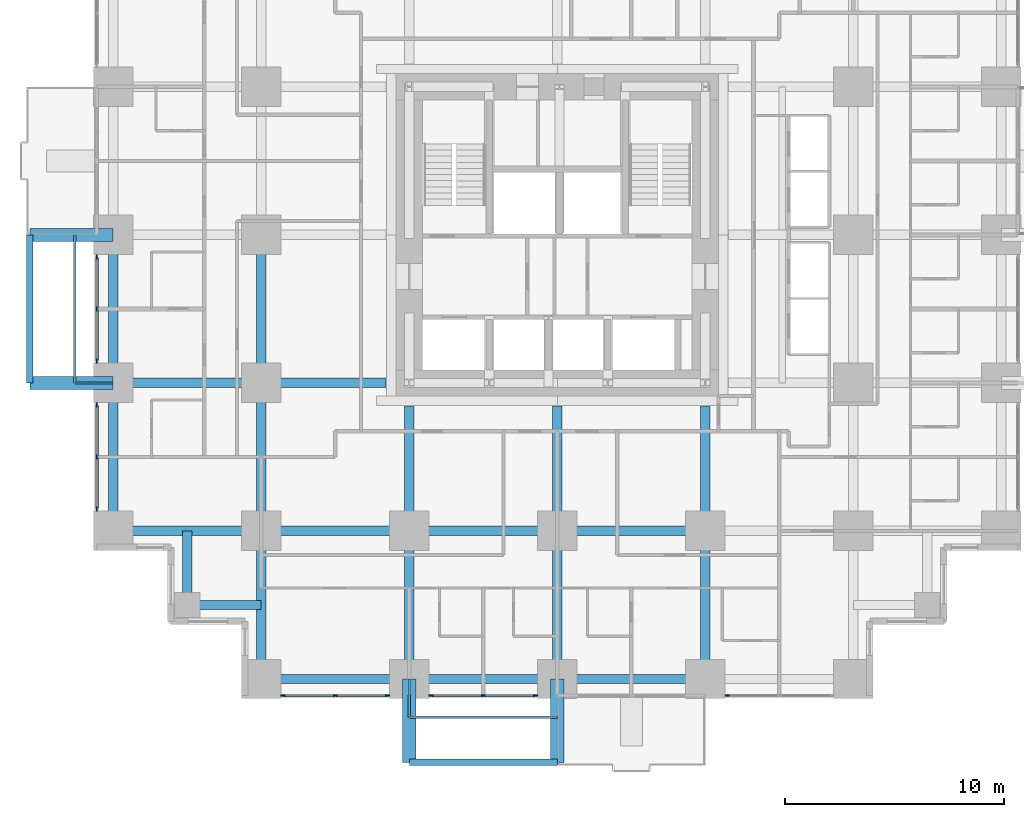
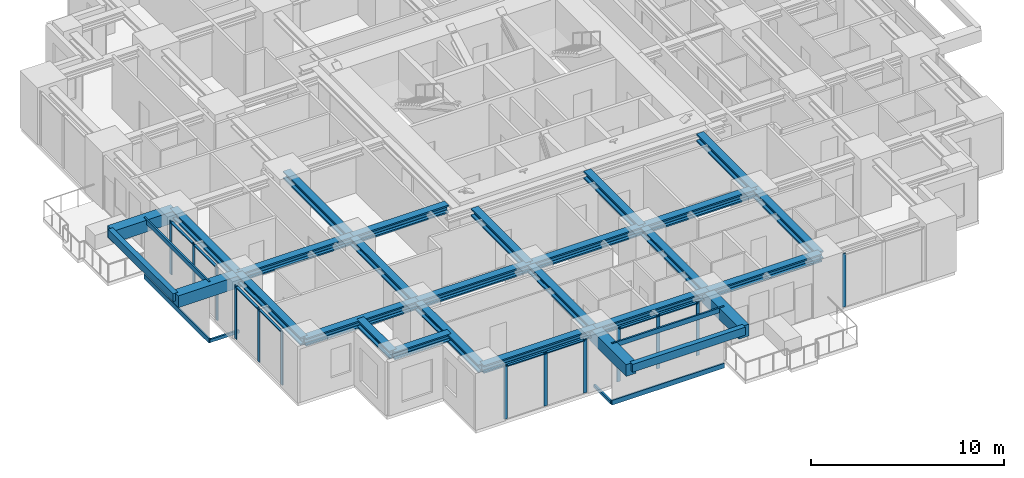
# One storey, part 2 of 14: 28 beams, 27 members, 5 elements without a shape of their own.
"""IFC4 building model written with IfcOpenShell, lengths in metres."""

import ifcopenshell
import ifcopenshell.guid

model = None  # the IFC model being written
_history = None  # IfcOwnerHistory: only IFC2X3 demands one
_inside = {}  # id of a spatial element -> (the spatial element, [elements in it])
_under = {}  # id of a project, library or spatial element -> (it, [spatial elements below it])
_declared = {}  # id of a project -> (the project, [libraries it declares])
_typed = {}  # id of a type object -> (the type object, [elements of that type])
_made_of = {}  # id of a material, layer set ... -> (it, [elements and type objects made of it])


def new_model(schema):
    """Start an empty IFC model of exactly this schema.

    Asked for "IFC4X3", IfcOpenShell would pick the latest addendum, in which some entities
    have other attributes; the version numbers below select the first issue.
    IFC2X3 requires an IfcOwnerHistory on every rooted entity: one is made here for all.
    """
    global model, _history
    if schema == "IFC4X3":
        model = ifcopenshell.file(schema_version=(4, 3, 0, 0))
    else:
        model = ifcopenshell.file(schema=schema)
    _inside.clear()
    _under.clear()
    _declared.clear()
    _typed.clear()
    _made_of.clear()
    _history = None
    if model.schema == "IFC2X3":
        org = make("IfcOrganization", Name="unknown")
        user = make(
            "IfcPersonAndOrganization",
            ThePerson=make("IfcPerson", FamilyName="unknown"),
            TheOrganization=org,
        )
        app = make(
            "IfcApplication",
            ApplicationDeveloper=org,
            Version="unknown",
            ApplicationFullName="unknown",
            ApplicationIdentifier="unknown",
        )
        _history = make(
            "IfcOwnerHistory",
            OwningUser=user,
            OwningApplication=app,
            ChangeAction="ADDED",
            CreationDate=0,
        )
    return model


def make(cls, **values):
    """One entity of the class cls with the attributes given. An attribute that is None is left unset."""
    return model.create_entity(
        cls, **{name: value for name, value in values.items() if value is not None}
    )


def rooted(cls, **values):
    """An entity with a GlobalId (a new one), such as an element, a storey or a relation."""
    return make(cls, GlobalId=ifcopenshell.guid.new(), OwnerHistory=_history, **values)


def si_unit(unit_type, name, prefix=None):
    """IfcSIUnit, for example si_unit("LENGTHUNIT", "METRE", prefix="MILLI")."""
    return make("IfcSIUnit", UnitType=unit_type, Prefix=prefix, Name=name)


def assignment(units):
    """IfcUnitAssignment: the units of a project."""
    return None if units is None else make("IfcUnitAssignment", Units=units)


def point(xyz):
    """IfcCartesianPoint."""
    return None if xyz is None else make("IfcCartesianPoint", Coordinates=xyz)


def direction(xyz):
    """IfcDirection."""
    return None if xyz is None else make("IfcDirection", DirectionRatios=xyz)


def frame(location, z_axis=None, x_axis=None):
    """IfcAxis2Placement3D, a coordinate frame: its origin and axes. An axis left out is left unset."""
    return make(
        "IfcAxis2Placement3D",
        Location=point(location),
        Axis=direction(z_axis),
        RefDirection=direction(x_axis),
    )


def frame_2d(location, x_axis=None):
    """IfcAxis2Placement2D, a coordinate frame in the plane: its origin and x axis."""
    return make(
        "IfcAxis2Placement2D", Location=point(location), RefDirection=direction(x_axis)
    )


def origin():
    """The frame at (0, 0, 0) with its axes left unset."""
    return frame((0.0, 0.0, 0.0))


def origin_2d():
    """The frame at (0, 0) in the plane with its x axis left unset."""
    return frame_2d((0.0, 0.0))


def place(relative_to, where):
    """IfcLocalPlacement: puts the frame where relative to a parent placement (None: the world)."""
    return make(
        "IfcLocalPlacement", PlacementRelTo=relative_to, RelativePlacement=where
    )


def context(
    kind, dimensions, precision=None, world=None, true_north=None, identifier=None
):
    """IfcGeometricRepresentationContext, for example the 3D "Model" context."""
    return make(
        "IfcGeometricRepresentationContext",
        ContextIdentifier=identifier,
        ContextType=kind,
        CoordinateSpaceDimension=dimensions,
        Precision=precision,
        WorldCoordinateSystem=world,
        TrueNorth=true_north,
    )


def subcontext(parent, identifier, kind, view, scale=None):
    """IfcGeometricRepresentationSubContext, for example "Body" below "Model"."""
    return make(
        "IfcGeometricRepresentationSubContext",
        ContextIdentifier=identifier,
        ContextType=kind,
        ParentContext=parent,
        TargetScale=scale,
        TargetView=view,
    )


def project(units=None, contexts=None):
    """IfcProject with its units and contexts."""
    return rooted(
        "IfcProject",
        Name="project",
        RepresentationContexts=contexts,
        UnitsInContext=assignment(units),
    )


def spatial(cls, under=None, at=None, **own):
    """A site, building, storey or space (cls), placed at a placement, below another one or the project."""
    s = rooted(cls, ObjectPlacement=at, **own)
    if under is not None:
        _under.setdefault(under.id(), (under, []))[1].append(s)
    return s


def profile(cls, at=None, kind="AREA", **sizes):
    """A parametric profile (cls). Its sizes go by their IFC names, for example OverallWidth=200.0."""
    return make(cls, ProfileType=kind, Position=at, **sizes)


def rectangle(**sizes):
    """IfcRectangleProfileDef."""
    return profile("IfcRectangleProfileDef", **sizes)


def hollow_rectangle(**sizes):
    """IfcRectangleHollowProfileDef."""
    return profile("IfcRectangleHollowProfileDef", **sizes)


def i_section(**sizes):
    """IfcIShapeProfileDef."""
    return profile("IfcIShapeProfileDef", **sizes)


def extrude(swept, where, along, depth):
    """IfcExtrudedAreaSolid: the profile swept, set in the frame where, extruded along a direction by depth."""
    return make(
        "IfcExtrudedAreaSolid",
        SweptArea=swept,
        Position=where,
        ExtrudedDirection=direction(along),
        Depth=depth,
    )


def shape(context_of_items, identifier, shape_type, items):
    """IfcShapeRepresentation: the items that make up one representation, for example the "Body"."""
    return make(
        "IfcShapeRepresentation",
        ContextOfItems=context_of_items,
        RepresentationIdentifier=identifier,
        RepresentationType=shape_type,
        Items=items,
    )


def material(Name=None, Category=None):
    """IfcMaterial."""
    return make("IfcMaterial", Name=Name, Category=Category)


def material_profile(
    of_material, cross_section, Name=None, Category=None, Priority=None
):
    """IfcMaterialProfile: a cross section and its material."""
    return make(
        "IfcMaterialProfile",
        Name=Name,
        Material=of_material,
        Profile=cross_section,
        Priority=Priority,
        Category=Category,
    )


def profile_set(profiles, Name=None, composite=None):
    """IfcMaterialProfileSet."""
    return make(
        "IfcMaterialProfileSet",
        Name=Name,
        MaterialProfiles=profiles,
        CompositeProfile=composite,
    )


def made_of(thing, what):
    """Note that an element or type object is made of a material, layer set ...; save() writes the relation."""
    if what is not None:
        _made_of.setdefault(what.id(), (what, []))[1].append(thing)
    return thing


def type_object(cls, material=None, **own):
    """A type object (cls), such as IfcWallType, which elements share."""
    return made_of(rooted(cls, **own), material)


def element(
    cls,
    number,
    at=None,
    inside=None,
    cuts=None,
    type_object=None,
    material=None,
    context=None,
    identifier="Body",
    shape_type=None,
    held_by="IfcProductDefinitionShape",
    body=None,
    shapes=None,
    **own,
):
    """One element of the class cls, such as IfcWall. Its Tag is "e" and its number.

    at: its placement. inside: the storey or other place that contains it. cuts: it is an
    opening in that element (IfcRelVoidsElement). A single representation is given by context,
    identifier, shape_type and body (its items); several are given by shapes. held_by: the class
    of the entity that holds the representations. save() writes the other relations.
    """
    e = rooted(cls, Tag="e%d" % number, ObjectPlacement=at, **own)
    if body is not None:
        shapes = [shape(context, identifier, shape_type, body)]
    if shapes is not None:
        e.Representation = make(held_by, Representations=shapes)
    if inside is not None:
        _inside.setdefault(inside.id(), (inside, []))[1].append(e)
    if cuts is not None:
        rooted(
            "IfcRelVoidsElement", RelatingBuildingElement=cuts, RelatedOpeningElement=e
        )
    if type_object is not None:
        _typed.setdefault(type_object.id(), (type_object, []))[1].append(e)
    return made_of(e, material)


def aggregate(whole, parts):
    """IfcRelAggregates: a whole, such as a stair, and the parts it consists of."""
    return rooted("IfcRelAggregates", RelatingObject=whole, RelatedObjects=parts)


def save(model, path):
    """Write the relations noted so far, then the file.

    IfcRelAggregates (storeys below a building ...), IfcRelContainedInSpatialStructure (elements
    in a storey), IfcRelDefinesByType, IfcRelAssociatesMaterial and IfcRelDeclares: one each for
    every whole, place, type object, material and project.
    """
    for whole, parts in _under.values():
        aggregate(whole, parts)
    for where, things in _inside.values():
        rooted(
            "IfcRelContainedInSpatialStructure",
            RelatedElements=things,
            RelatingStructure=where,
        )
    for kind, things in _typed.values():
        rooted("IfcRelDefinesByType", RelatedObjects=things, RelatingType=kind)
    for what, things in _made_of.values():
        rooted("IfcRelAssociatesMaterial", RelatedObjects=things, RelatingMaterial=what)
    for by, libraries in _declared.values():
        rooted("IfcRelDeclares", RelatingContext=by, RelatedDefinitions=libraries)
    model.write(path)


model = new_model("IFC4")

# Units and contexts
model_context = context("Model", 3, precision=1e-05, world=origin(), true_north=direction((0.0, 1.0)))
body_context = subcontext(model_context, "Body", "Model", "MODEL_VIEW")
ifc_project = project(units=[si_unit("LENGTHUNIT", "METRE"), si_unit("AREAUNIT", "SQUARE_METRE"), si_unit("VOLUMEUNIT", "CUBIC_METRE"), si_unit("PLANEANGLEUNIT", "RADIAN"), si_unit("MASSUNIT", "GRAM", prefix="KILO")], contexts=[model_context])

# Site, building, storey
site_placement = place(None, origin())
site = spatial("IfcSite", under=ifc_project, at=site_placement, CompositionType="ELEMENT")
building_placement = place(site_placement, origin())
building = spatial("IfcBuilding", under=site, at=building_placement, Name="Nyansa Garden Tower", CompositionType="ELEMENT")
storey_placement = place(building_placement, frame((0.0, 0.0, 57.60009765625)))
storey = spatial("IfcBuildingStorey", under=building, at=storey_placement, Name="L15", CompositionType="ELEMENT", Elevation=57.60009765625)

# Beams
ifc_material_1 = material(Name="Concrete C70/85", Category="concrete")
ifc_material_profile_1 = material_profile(ifc_material_1, rectangle(XDim=0.60009765625, YDim=0.75, at=origin_2d()), Name="RC 600x750")
ifc_profile_set_1 = profile_set([ifc_material_profile_1], Name="Concrete C70/85")
beam_type_1 = type_object("IfcBeamType", Name="Balcony cantilever beam CB1 RC 600x750", PredefinedType="BEAM", material=ifc_profile_set_1)
for number, where, z_axis, x_axis, name in (
    (1, (13.5, 0.0, 2.98486328125), (0.0, -1.0, 0.0), (1.0, 0.0, 0.0), "Balcony cantilever beam L16"),
    (2, (20.25, 0.0, 2.98486328125), (0.0, -1.0, 0.0), (1.0, 0.0, 0.0), "Balcony cantilever beam L16"),
    (3, (0.0, 13.5, 2.98486328125), (-1.0, 0.0, 0.0), (0.0, -1.0, 0.0), "Balcony cantilever beam L16"),
    (4, (0.0, 20.25, 2.98486328125), (-1.0, 0.0, 0.0), (0.0, -1.0, 0.0), "Balcony cantilever beam L16"),
):
    element("IfcBeam", number, at=place(storey_placement, frame(where, z_axis=z_axis, x_axis=x_axis)), inside=storey, type_object=beam_type_1, Name=name, PredefinedType="BEAM", context=body_context, shape_type="SweptSolid", body=[
        extrude(rectangle(XDim=0.60009765625, YDim=0.75, at=origin_2d()), origin(), (0.0, 0.0, 1.0), 3.800048828125),
    ])
ifc_material_2 = material(Name="Concrete C70/85", Category="concrete")
ifc_material_profile_2 = material_profile(ifc_material_2, rectangle(XDim=0.300048828125, YDim=0.5, at=origin_2d()), Name="RC 300x500")
ifc_profile_set_2 = profile_set([ifc_material_profile_2], Name="Concrete C70/85")
beam_type_2 = type_object("IfcBeamType", Name="Balcony edge beam BE1 RC 300x500", PredefinedType="BEAM", material=ifc_profile_set_2)
for number, where, z_axis, x_axis, name in (
    (5, (13.5, -3.800048828125, 3.10986328125), (1.0, 0.0, 0.0), (0.0, 1.0, 0.0), "Balcony edge beam L16"),
    (6, (-3.800048828125, 13.5, 3.10986328125), (0.0, 1.0, 0.0), (-1.0, 0.0, 0.0), "Balcony edge beam L16"),
):
    element("IfcBeam", number, at=place(storey_placement, frame(where, z_axis=z_axis, x_axis=x_axis)), inside=storey, type_object=beam_type_2, Name=name, PredefinedType="BEAM", context=body_context, shape_type="SweptSolid", body=[
        extrude(rectangle(XDim=0.300048828125, YDim=0.5, at=origin_2d()), origin(), (0.0, 0.0, 1.0), 6.75),
    ])

# Curtain wall, members
ifc_material_3 = material(Name="Black anodised aluminium, dark tinted double glazing", Category="aluminium")
curtain_wall_type = type_object("IfcCurtainWallType", Name="Inner skin curtain wall ISW-A", PredefinedType="USERDEFINED", material=ifc_material_3)
curtain_wall_1_placement = place(storey_placement, origin())
curtain_wall_1 = element("IfcCurtainWall", 7, at=curtain_wall_1_placement, inside=storey, type_object=curtain_wall_type, Name="Inner skin curtain wall L15 W", ObjectType="UNITISED CURTAIN WALL", PredefinedType="USERDEFINED")
ifc_material_4 = material(Name="Black anodised aluminium", Category="aluminium")
ifc_material_profile_3 = material_profile(ifc_material_4, rectangle(XDim=0.06494140625, YDim=0.199951171875, at=origin_2d()), Name="Mullion 200x65")
ifc_profile_set_3 = profile_set([ifc_material_profile_3], Name="Black anodised aluminium")
member_type_1 = type_object("IfcMemberType", Name="Mullion ISW-A 200x65", PredefinedType="MULLION", material=ifc_profile_set_3)
member_1_placement = place(storey_placement, frame((-0.75, 19.25, 0.0), z_axis=(0.0, 0.0, 1.0), x_axis=(1.0, 0.0, 0.0)))
member_1 = element("IfcMember", 8, at=member_1_placement, type_object=member_type_1, Name="ISW-A mullion 1", PredefinedType="MULLION", context=body_context, shape_type="SweptSolid", body=[
    extrude(rectangle(XDim=0.06494140625, YDim=0.199951171875, at=origin_2d()), origin(), (0.0, 0.0, 1.0), 3.375),
])
member_2_placement = place(storey_placement, frame((-0.75, 16.875, 0.0), z_axis=(0.0, 0.0, 1.0), x_axis=(1.0, 0.0, 0.0)))
member_2 = element("IfcMember", 9, at=member_2_placement, type_object=member_type_1, Name="ISW-A mullion 2", PredefinedType="MULLION", context=body_context, shape_type="SweptSolid", body=[
    extrude(rectangle(XDim=0.06494140625, YDim=0.199951171875, at=origin_2d()), origin(), (0.0, 0.0, 1.0), 3.375),
])
member_3_placement = place(storey_placement, frame((-0.75, 14.5, 0.0), z_axis=(0.0, 0.0, 1.0), x_axis=(1.0, 0.0, 0.0)))
member_3 = element("IfcMember", 10, at=member_3_placement, type_object=member_type_1, Name="ISW-A mullion 3", PredefinedType="MULLION", context=body_context, shape_type="SweptSolid", body=[
    extrude(rectangle(XDim=0.06494140625, YDim=0.199951171875, at=origin_2d()), origin(), (0.0, 0.0, 1.0), 3.375),
])

curtain_wall_2_placement = place(storey_placement, origin())
curtain_wall_2 = element("IfcCurtainWall", 11, at=curtain_wall_2_placement, inside=storey, type_object=curtain_wall_type, Name="Inner skin curtain wall L15 W", ObjectType="UNITISED CURTAIN WALL", PredefinedType="USERDEFINED")
member_4_placement = place(storey_placement, frame((-0.75, 12.5, 0.0), z_axis=(0.0, 0.0, 1.0), x_axis=(1.0, 0.0, 0.0)))
member_4 = element("IfcMember", 12, at=member_4_placement, type_object=member_type_1, Name="ISW-A mullion 1", PredefinedType="MULLION", context=body_context, shape_type="SweptSolid", body=[
    extrude(rectangle(XDim=0.06494140625, YDim=0.199951171875, at=origin_2d()), origin(), (0.0, 0.0, 1.0), 3.375),
])
member_5_placement = place(storey_placement, frame((-0.75, 10.125, 0.0), z_axis=(0.0, 0.0, 1.0), x_axis=(1.0, 0.0, 0.0)))
member_5 = element("IfcMember", 13, at=member_5_placement, type_object=member_type_1, Name="ISW-A mullion 2", PredefinedType="MULLION", context=body_context, shape_type="SweptSolid", body=[
    extrude(rectangle(XDim=0.06494140625, YDim=0.199951171875, at=origin_2d()), origin(), (0.0, 0.0, 1.0), 3.375),
])
member_6_placement = place(storey_placement, frame((-0.75, 7.75, 0.0), z_axis=(0.0, 0.0, 1.0), x_axis=(1.0, 0.0, 0.0)))
member_6 = element("IfcMember", 14, at=member_6_placement, type_object=member_type_1, Name="ISW-A mullion 3", PredefinedType="MULLION", context=body_context, shape_type="SweptSolid", body=[
    extrude(rectangle(XDim=0.06494140625, YDim=0.199951171875, at=origin_2d()), origin(), (0.0, 0.0, 1.0), 3.375),
])

curtain_wall_3_placement = place(storey_placement, origin())
curtain_wall_3 = element("IfcCurtainWall", 15, at=curtain_wall_3_placement, inside=storey, type_object=curtain_wall_type, Name="Inner skin curtain wall L15 S", ObjectType="UNITISED CURTAIN WALL", PredefinedType="USERDEFINED")
member_7_placement = place(storey_placement, frame((7.75, -0.75, 0.0), z_axis=(0.0, 0.0, 1.0), x_axis=(0.0, 1.0, 0.0)))
member_7 = element("IfcMember", 16, at=member_7_placement, type_object=member_type_1, Name="ISW-A mullion 1", PredefinedType="MULLION", context=body_context, shape_type="SweptSolid", body=[
    extrude(rectangle(XDim=0.06494140625, YDim=0.199951171875, at=origin_2d()), origin(), (0.0, 0.0, 1.0), 3.375),
])
member_8_placement = place(storey_placement, frame((10.125, -0.75, 0.0), z_axis=(0.0, 0.0, 1.0), x_axis=(0.0, 1.0, 0.0)))
member_8 = element("IfcMember", 17, at=member_8_placement, type_object=member_type_1, Name="ISW-A mullion 2", PredefinedType="MULLION", context=body_context, shape_type="SweptSolid", body=[
    extrude(rectangle(XDim=0.06494140625, YDim=0.199951171875, at=origin_2d()), origin(), (0.0, 0.0, 1.0), 3.375),
])
member_9_placement = place(storey_placement, frame((12.5, -0.75, 0.0), z_axis=(0.0, 0.0, 1.0), x_axis=(0.0, 1.0, 0.0)))
member_9 = element("IfcMember", 18, at=member_9_placement, type_object=member_type_1, Name="ISW-A mullion 3", PredefinedType="MULLION", context=body_context, shape_type="SweptSolid", body=[
    extrude(rectangle(XDim=0.06494140625, YDim=0.199951171875, at=origin_2d()), origin(), (0.0, 0.0, 1.0), 3.375),
])

curtain_wall_4_placement = place(storey_placement, origin())
curtain_wall_4 = element("IfcCurtainWall", 19, at=curtain_wall_4_placement, inside=storey, type_object=curtain_wall_type, Name="Inner skin curtain wall L15 S", ObjectType="UNITISED CURTAIN WALL", PredefinedType="USERDEFINED")
member_10_placement = place(storey_placement, frame((14.5, -0.75, 0.0), z_axis=(0.0, 0.0, 1.0), x_axis=(0.0, 1.0, 0.0)))
member_10 = element("IfcMember", 20, at=member_10_placement, type_object=member_type_1, Name="ISW-A mullion 1", PredefinedType="MULLION", context=body_context, shape_type="SweptSolid", body=[
    extrude(rectangle(XDim=0.06494140625, YDim=0.199951171875, at=origin_2d()), origin(), (0.0, 0.0, 1.0), 3.375),
])
member_11_placement = place(storey_placement, frame((16.875, -0.75, 0.0), z_axis=(0.0, 0.0, 1.0), x_axis=(0.0, 1.0, 0.0)))
member_11 = element("IfcMember", 21, at=member_11_placement, type_object=member_type_1, Name="ISW-A mullion 2", PredefinedType="MULLION", context=body_context, shape_type="SweptSolid", body=[
    extrude(rectangle(XDim=0.06494140625, YDim=0.199951171875, at=origin_2d()), origin(), (0.0, 0.0, 1.0), 3.375),
])
member_12_placement = place(storey_placement, frame((19.25, -0.75, 0.0), z_axis=(0.0, 0.0, 1.0), x_axis=(0.0, 1.0, 0.0)))
member_12 = element("IfcMember", 22, at=member_12_placement, type_object=member_type_1, Name="ISW-A mullion 3", PredefinedType="MULLION", context=body_context, shape_type="SweptSolid", body=[
    extrude(rectangle(XDim=0.06494140625, YDim=0.199951171875, at=origin_2d()), origin(), (0.0, 0.0, 1.0), 3.375),
])

# Curtain wall, member
curtain_wall_5_placement = place(storey_placement, origin())
curtain_wall_5 = element("IfcCurtainWall", 23, at=curtain_wall_5_placement, inside=storey, type_object=curtain_wall_type, Name="Inner skin curtain wall L15 S", ObjectType="UNITISED CURTAIN WALL", PredefinedType="USERDEFINED")
member_13_placement = place(storey_placement, frame((28.0, -0.75, 0.0), z_axis=(0.0, 0.0, 1.0), x_axis=(0.0, 1.0, 0.0)))
member_13 = element("IfcMember", 24, at=member_13_placement, type_object=member_type_1, Name="ISW-A mullion 1", PredefinedType="MULLION", context=body_context, shape_type="SweptSolid", body=[
    extrude(rectangle(XDim=0.06494140625, YDim=0.199951171875, at=origin_2d()), origin(), (0.0, 0.0, 1.0), 3.375),
])
aggregate(curtain_wall_5, [member_13])

# Members
ifc_material_5 = material(Name="Steel S355, black powder coated", Category="steel")
ifc_material_profile_4 = material_profile(ifc_material_5, hollow_rectangle(XDim=0.10009765625, YDim=0.199951171875, WallThickness=0.008056640625, at=origin_2d()), Name="RHS 200x100x8")
ifc_profile_set_4 = profile_set([ifc_material_profile_4], Name="Steel S355, black powder coated")
member_type_2 = type_object("IfcMemberType", Name="Outer skin bracket arm RHS 200x100x8", PredefinedType="USERDEFINED", material=ifc_profile_set_4)
for number, where, z_axis, x_axis, name in (
    (25, (0.0, 13.5, -0.375), (-1.0, 0.0, 0.0), (0.0, -1.0, 0.0), "Outer skin bracket arm"),
    (26, (13.5, 0.0, -0.375), (0.0, -1.0, 0.0), (1.0, 0.0, 0.0), "Outer skin bracket arm"),
):
    element("IfcMember", number, at=place(storey_placement, frame(where, z_axis=z_axis, x_axis=x_axis)), inside=storey, type_object=member_type_2, Name=name, ObjectType="OUTER SKIN BRACKET", PredefinedType="USERDEFINED", context=body_context, shape_type="SweptSolid", body=[
        extrude(hollow_rectangle(XDim=0.10009765625, YDim=0.199951171875, WallThickness=0.008056640625, at=origin_2d()), origin(), (0.0, 0.0, 1.0), 1.75),
    ])
ifc_material_6 = material(Name="Steel S355, black powder coated", Category="steel")
ifc_material_profile_5 = material_profile(ifc_material_6, hollow_rectangle(XDim=0.10009765625, YDim=0.300048828125, WallThickness=0.010009765625, at=origin_2d()), Name="RHS 300x100x10")
ifc_profile_set_5 = profile_set([ifc_material_profile_5], Name="Steel S355, black powder coated")
member_type_3 = type_object("IfcMemberType", Name="Outer skin rail RHS 300x100x10", PredefinedType="USERDEFINED", material=ifc_profile_set_5)
for number, where, z_axis, x_axis, name in (
    (27, (-1.75, 13.5, -0.375), (0.0, 1.0, 0.0), (-1.0, 0.0, 0.0), "Outer skin rail L15"),
    (28, (-1.75, 13.5, 3.224853515625), (0.0, 1.0, 0.0), (-1.0, 0.0, 0.0), "Outer skin rail L15 head"),
    (29, (13.5, -1.75, -0.375), (1.0, 0.0, 0.0), (0.0, 1.0, 0.0), "Outer skin rail L15"),
    (30, (13.5, -1.75, 3.224853515625), (1.0, 0.0, 0.0), (0.0, 1.0, 0.0), "Outer skin rail L15 head"),
):
    element("IfcMember", number, at=place(storey_placement, frame(where, z_axis=z_axis, x_axis=x_axis)), inside=storey, type_object=member_type_3, Name=name, ObjectType="OUTER SKIN RAIL", PredefinedType="USERDEFINED", context=body_context, shape_type="SweptSolid", body=[
        extrude(hollow_rectangle(XDim=0.10009765625, YDim=0.300048828125, WallThickness=0.010009765625, at=origin_2d()), origin(), (0.0, 0.0, 1.0), 6.75),
    ])

# Beams
ifc_material_7 = material(Name="Steel S355", Category="steel")
ifc_material_profile_6 = material_profile(ifc_material_7, i_section(OverallWidth=0.431884765625, OverallDepth=0.498046875, WebThickness=0.0556640625, FlangeThickness=0.0888671875, FilletRadius=0.014892578125, at=origin_2d()), Name="HD 400x744")
ifc_profile_set_6 = profile_set([ifc_material_profile_6], Name="Steel S355")
beam_type_3 = type_object("IfcBeamType", Name="Steel beam SBA1-744 HD 400x744", PredefinedType="BEAM", material=ifc_profile_set_6)
for number, where, z_axis, x_axis, name in (
    (31, (0.0, 6.75, 3.1259765625), (1.0, 0.0, 0.0), (0.0, 1.0, 0.0), "Steel beam 2/E-3/E L16"),
    (32, (0.0, 13.5, 3.1259765625), (1.0, 0.0, 0.0), (0.0, 1.0, 0.0), "Steel beam 2/F-3/F L16"),
    (33, (6.75, 0.0, 3.1259765625), (0.0, 1.0, 0.0), (-1.0, 0.0, 0.0), "Steel beam 3/D-3/E L16"),
    (34, (6.75, 6.75, 3.1259765625), (0.0, 1.0, 0.0), (-1.0, 0.0, 0.0), "Steel beam 3/E-3/F L16"),
    (35, (6.75, 6.75, 3.1259765625), (1.0, 0.0, 0.0), (0.0, 1.0, 0.0), "Steel beam 3/E-4/E L16"),
    (36, (6.75, 13.5, 3.1259765625), (0.0, 1.0, 0.0), (-1.0, 0.0, 0.0), "Steel beam 3/F-3/G L16"),
):
    element("IfcBeam", number, at=place(storey_placement, frame(where, z_axis=z_axis, x_axis=x_axis)), inside=storey, type_object=beam_type_3, Name=name, PredefinedType="BEAM", context=body_context, shape_type="SweptSolid", body=[
        extrude(i_section(OverallWidth=0.431884765625, OverallDepth=0.498046875, WebThickness=0.0556640625, FlangeThickness=0.0888671875, FilletRadius=0.014892578125, at=origin_2d()), origin(), (0.0, 0.0, 1.0), 6.75),
    ])
beam_1_placement = place(storey_placement, frame((6.75, 13.5, 3.1259765625), z_axis=(1.0, 0.0, 0.0), x_axis=(0.0, 1.0, 0.0)))
element("IfcBeam", 37, at=beam_1_placement, inside=storey, type_object=beam_type_3, Name="Steel beam 3/F-12.450/F L16", PredefinedType="BEAM", context=body_context, shape_type="SweptSolid", body=[
    extrude(i_section(OverallWidth=0.431884765625, OverallDepth=0.498046875, WebThickness=0.0556640625, FlangeThickness=0.0888671875, FilletRadius=0.014892578125, at=origin_2d()), origin(), (0.0, 0.0, 1.0), 5.699951171875),
])
beam_2_placement = place(storey_placement, frame((13.5, 0.0, 3.1259765625), z_axis=(0.0, 1.0, 0.0), x_axis=(-1.0, 0.0, 0.0)))
element("IfcBeam", 38, at=beam_2_placement, inside=storey, type_object=beam_type_3, Name="Steel beam 4/D-4/E L16", PredefinedType="BEAM", context=body_context, shape_type="SweptSolid", body=[
    extrude(i_section(OverallWidth=0.431884765625, OverallDepth=0.498046875, WebThickness=0.0556640625, FlangeThickness=0.0888671875, FilletRadius=0.014892578125, at=origin_2d()), origin(), (0.0, 0.0, 1.0), 6.75),
])
beam_3_placement = place(storey_placement, frame((13.5, 6.75, 3.1259765625), z_axis=(0.0, 1.0, 0.0), x_axis=(-1.0, 0.0, 0.0)))
element("IfcBeam", 39, at=beam_3_placement, inside=storey, type_object=beam_type_3, Name="Steel beam 4/E-4/12.450 L16", PredefinedType="BEAM", context=body_context, shape_type="SweptSolid", body=[
    extrude(i_section(OverallWidth=0.431884765625, OverallDepth=0.498046875, WebThickness=0.0556640625, FlangeThickness=0.0888671875, FilletRadius=0.014892578125, at=origin_2d()), origin(), (0.0, 0.0, 1.0), 5.699951171875),
])
for number, where, z_axis, x_axis, name in (
    (40, (13.5, 6.75, 3.1259765625), (1.0, 0.0, 0.0), (0.0, 1.0, 0.0), "Steel beam 4/E-5/E L16"),
    (41, (20.25, 0.0, 3.1259765625), (0.0, 1.0, 0.0), (-1.0, 0.0, 0.0), "Steel beam 5/D-5/E L16"),
):
    element("IfcBeam", number, at=place(storey_placement, frame(where, z_axis=z_axis, x_axis=x_axis)), inside=storey, type_object=beam_type_3, Name=name, PredefinedType="BEAM", context=body_context, shape_type="SweptSolid", body=[
        extrude(i_section(OverallWidth=0.431884765625, OverallDepth=0.498046875, WebThickness=0.0556640625, FlangeThickness=0.0888671875, FilletRadius=0.014892578125, at=origin_2d()), origin(), (0.0, 0.0, 1.0), 6.75),
    ])
beam_4_placement = place(storey_placement, frame((20.25, 6.75, 3.1259765625), z_axis=(0.0, 1.0, 0.0), x_axis=(-1.0, 0.0, 0.0)))
element("IfcBeam", 42, at=beam_4_placement, inside=storey, type_object=beam_type_3, Name="Steel beam 5/E-5/12.450 L16", PredefinedType="BEAM", context=body_context, shape_type="SweptSolid", body=[
    extrude(i_section(OverallWidth=0.431884765625, OverallDepth=0.498046875, WebThickness=0.0556640625, FlangeThickness=0.0888671875, FilletRadius=0.014892578125, at=origin_2d()), origin(), (0.0, 0.0, 1.0), 5.699951171875),
])
for number, where, z_axis, x_axis, name in (
    (43, (20.25, 6.75, 3.1259765625), (1.0, 0.0, 0.0), (0.0, 1.0, 0.0), "Steel beam 5/E-6/E L16"),
    (44, (27.0, 0.0, 3.1259765625), (0.0, 1.0, 0.0), (-1.0, 0.0, 0.0), "Steel beam 6/D-6/E L16"),
):
    element("IfcBeam", number, at=place(storey_placement, frame(where, z_axis=z_axis, x_axis=x_axis)), inside=storey, type_object=beam_type_3, Name=name, PredefinedType="BEAM", context=body_context, shape_type="SweptSolid", body=[
        extrude(i_section(OverallWidth=0.431884765625, OverallDepth=0.498046875, WebThickness=0.0556640625, FlangeThickness=0.0888671875, FilletRadius=0.014892578125, at=origin_2d()), origin(), (0.0, 0.0, 1.0), 6.75),
    ])
beam_5_placement = place(storey_placement, frame((27.0, 6.75, 3.1259765625), z_axis=(0.0, 1.0, 0.0), x_axis=(-1.0, 0.0, 0.0)))
element("IfcBeam", 45, at=beam_5_placement, inside=storey, type_object=beam_type_3, Name="Steel beam 6/E-6/12.450 L16", PredefinedType="BEAM", context=body_context, shape_type="SweptSolid", body=[
    extrude(i_section(OverallWidth=0.431884765625, OverallDepth=0.498046875, WebThickness=0.0556640625, FlangeThickness=0.0888671875, FilletRadius=0.014892578125, at=origin_2d()), origin(), (0.0, 0.0, 1.0), 5.699951171875),
])
ifc_material_8 = material(Name="Steel S355", Category="steel")
ifc_material_profile_7 = material_profile(ifc_material_8, i_section(OverallWidth=0.431884765625, OverallDepth=0.498046875, WebThickness=0.0556640625, FlangeThickness=0.0888671875, FilletRadius=0.014892578125, at=origin_2d()), Name="HD 400x744")
ifc_profile_set_7 = profile_set([ifc_material_profile_7], Name="Steel S355")
beam_type_4 = type_object("IfcBeamType", Name="Steel beam SEBA-744 HD 400x744", PredefinedType="BEAM", material=ifc_profile_set_7)
for number, where, z_axis, x_axis, name in (
    (46, (0.0, 6.75, 3.1259765625), (0.0, 1.0, 0.0), (-1.0, 0.0, 0.0), "Steel edge beam 2/E-2/F L16"),
    (47, (0.0, 13.5, 3.1259765625), (0.0, 1.0, 0.0), (-1.0, 0.0, 0.0), "Steel edge beam 2/F-2/G L16"),
    (48, (6.75, 0.0, 3.1259765625), (1.0, 0.0, 0.0), (0.0, 1.0, 0.0), "Steel edge beam 3/D-4/D L16"),
    (49, (13.5, 0.0, 3.1259765625), (1.0, 0.0, 0.0), (0.0, 1.0, 0.0), "Steel edge beam 4/D-5/D L16"),
    (50, (20.25, 0.0, 3.1259765625), (1.0, 0.0, 0.0), (0.0, 1.0, 0.0), "Steel edge beam 5/D-6/D L16"),
):
    element("IfcBeam", number, at=place(storey_placement, frame(where, z_axis=z_axis, x_axis=x_axis)), inside=storey, type_object=beam_type_4, Name=name, PredefinedType="BEAM", context=body_context, shape_type="SweptSolid", body=[
        extrude(i_section(OverallWidth=0.431884765625, OverallDepth=0.498046875, WebThickness=0.0556640625, FlangeThickness=0.0888671875, FilletRadius=0.014892578125, at=origin_2d()), origin(), (0.0, 0.0, 1.0), 6.75),
    ])
ifc_material_9 = material(Name="Steel S355", Category="steel")
ifc_material_profile_8 = material_profile(ifc_material_9, i_section(OverallWidth=0.431884765625, OverallDepth=0.498046875, WebThickness=0.0556640625, FlangeThickness=0.0888671875, FilletRadius=0.014892578125, at=origin_2d()), Name="HD 400x744")
ifc_profile_set_8 = profile_set([ifc_material_profile_8], Name="Steel S355")
beam_type_5 = type_object("IfcBeamType", Name="Steel beam SSB1-744 HD 400x744", PredefinedType="BEAM", material=ifc_profile_set_8)
for number, where, z_axis, x_axis, name in (
    (51, (3.375, 3.375, 3.1259765625), (0.0, 1.0, 0.0), (-1.0, 0.0, 0.0), "Steel step beam 3.375/3.375 L16"),
    (52, (3.375, 3.375, 3.1259765625), (1.0, 0.0, 0.0), (0.0, 1.0, 0.0), "Steel step beam 3.375/3.375 L16"),
):
    element("IfcBeam", number, at=place(storey_placement, frame(where, z_axis=z_axis, x_axis=x_axis)), inside=storey, type_object=beam_type_5, Name=name, PredefinedType="BEAM", context=body_context, shape_type="SweptSolid", body=[
        extrude(i_section(OverallWidth=0.431884765625, OverallDepth=0.498046875, WebThickness=0.0556640625, FlangeThickness=0.0888671875, FilletRadius=0.014892578125, at=origin_2d()), origin(), (0.0, 0.0, 1.0), 3.375),
    ])

# Member
ifc_material_10 = material(Name="Black anodised aluminium", Category="aluminium")
ifc_material_profile_9 = material_profile(ifc_material_10, rectangle(XDim=0.14990234375, YDim=0.06494140625, at=origin_2d()), Name="Transom 150x65")
ifc_profile_set_9 = profile_set([ifc_material_profile_9], Name="Black anodised aluminium")
member_type_4 = type_object("IfcMemberType", Name="Transom ISW-A 150x65", PredefinedType="USERDEFINED", material=ifc_profile_set_9)
member_14_placement = place(storey_placement, frame((-0.75, 19.217529296875, 3.34228515625), z_axis=(0.0, -1.0, 0.0), x_axis=(1.0, 0.0, 0.0)))
member_14 = element("IfcMember", 53, at=member_14_placement, type_object=member_type_4, Name="ISW-A transom 1", ObjectType="TRANSOM", PredefinedType="USERDEFINED", context=body_context, shape_type="SweptSolid", body=[
    extrude(rectangle(XDim=0.14990234375, YDim=0.06494140625, at=origin_2d()), origin(), (0.0, 0.0, 1.0), 2.31005859375),
])

member_15_placement = place(storey_placement, frame((-0.75, 16.842529296875, 3.34228515625), z_axis=(0.0, -1.0, 0.0), x_axis=(1.0, 0.0, 0.0)))
member_15 = element("IfcMember", 54, at=member_15_placement, type_object=member_type_4, Name="ISW-A transom 2", ObjectType="TRANSOM", PredefinedType="USERDEFINED", context=body_context, shape_type="SweptSolid", body=[
    extrude(rectangle(XDim=0.14990234375, YDim=0.06494140625, at=origin_2d()), origin(), (0.0, 0.0, 1.0), 2.31005859375),
])

aggregate(curtain_wall_1, [member_1, member_2, member_3, member_14, member_15])

member_16_placement = place(storey_placement, frame((-0.75, 12.467529296875, 3.34228515625), z_axis=(0.0, -1.0, 0.0), x_axis=(1.0, 0.0, 0.0)))
member_16 = element("IfcMember", 55, at=member_16_placement, type_object=member_type_4, Name="ISW-A transom 1", ObjectType="TRANSOM", PredefinedType="USERDEFINED", context=body_context, shape_type="SweptSolid", body=[
    extrude(rectangle(XDim=0.14990234375, YDim=0.06494140625, at=origin_2d()), origin(), (0.0, 0.0, 1.0), 2.31005859375),
])

member_17_placement = place(storey_placement, frame((-0.75, 10.092529296875, 3.34228515625), z_axis=(0.0, -1.0, 0.0), x_axis=(1.0, 0.0, 0.0)))
member_17 = element("IfcMember", 56, at=member_17_placement, type_object=member_type_4, Name="ISW-A transom 2", ObjectType="TRANSOM", PredefinedType="USERDEFINED", context=body_context, shape_type="SweptSolid", body=[
    extrude(rectangle(XDim=0.14990234375, YDim=0.06494140625, at=origin_2d()), origin(), (0.0, 0.0, 1.0), 2.31005859375),
])

aggregate(curtain_wall_2, [member_4, member_5, member_6, member_16, member_17])

member_18_placement = place(storey_placement, frame((7.782470703125, -0.75, 3.34228515625), z_axis=(1.0, 0.0, 0.0), x_axis=(0.0, 1.0, 0.0)))
member_18 = element("IfcMember", 57, at=member_18_placement, type_object=member_type_4, Name="ISW-A transom 1", ObjectType="TRANSOM", PredefinedType="USERDEFINED", context=body_context, shape_type="SweptSolid", body=[
    extrude(rectangle(XDim=0.14990234375, YDim=0.06494140625, at=origin_2d()), origin(), (0.0, 0.0, 1.0), 2.31005859375),
])

member_19_placement = place(storey_placement, frame((10.157470703125, -0.75, 3.34228515625), z_axis=(1.0, 0.0, 0.0), x_axis=(0.0, 1.0, 0.0)))
member_19 = element("IfcMember", 58, at=member_19_placement, type_object=member_type_4, Name="ISW-A transom 2", ObjectType="TRANSOM", PredefinedType="USERDEFINED", context=body_context, shape_type="SweptSolid", body=[
    extrude(rectangle(XDim=0.14990234375, YDim=0.06494140625, at=origin_2d()), origin(), (0.0, 0.0, 1.0), 2.31005859375),
])

aggregate(curtain_wall_3, [member_7, member_8, member_9, member_18, member_19])

member_20_placement = place(storey_placement, frame((14.532470703125, -0.75, 3.34228515625), z_axis=(1.0, 0.0, 0.0), x_axis=(0.0, 1.0, 0.0)))
member_20 = element("IfcMember", 59, at=member_20_placement, type_object=member_type_4, Name="ISW-A transom 1", ObjectType="TRANSOM", PredefinedType="USERDEFINED", context=body_context, shape_type="SweptSolid", body=[
    extrude(rectangle(XDim=0.14990234375, YDim=0.06494140625, at=origin_2d()), origin(), (0.0, 0.0, 1.0), 2.31005859375),
])

member_21_placement = place(storey_placement, frame((16.907470703125, -0.75, 3.34228515625), z_axis=(1.0, 0.0, 0.0), x_axis=(0.0, 1.0, 0.0)))
member_21 = element("IfcMember", 60, at=member_21_placement, type_object=member_type_4, Name="ISW-A transom 2", ObjectType="TRANSOM", PredefinedType="USERDEFINED", context=body_context, shape_type="SweptSolid", body=[
    extrude(rectangle(XDim=0.14990234375, YDim=0.06494140625, at=origin_2d()), origin(), (0.0, 0.0, 1.0), 2.31005859375),
])

aggregate(curtain_wall_4, [member_10, member_11, member_12, member_20, member_21])

save(model, "model.ifc")
